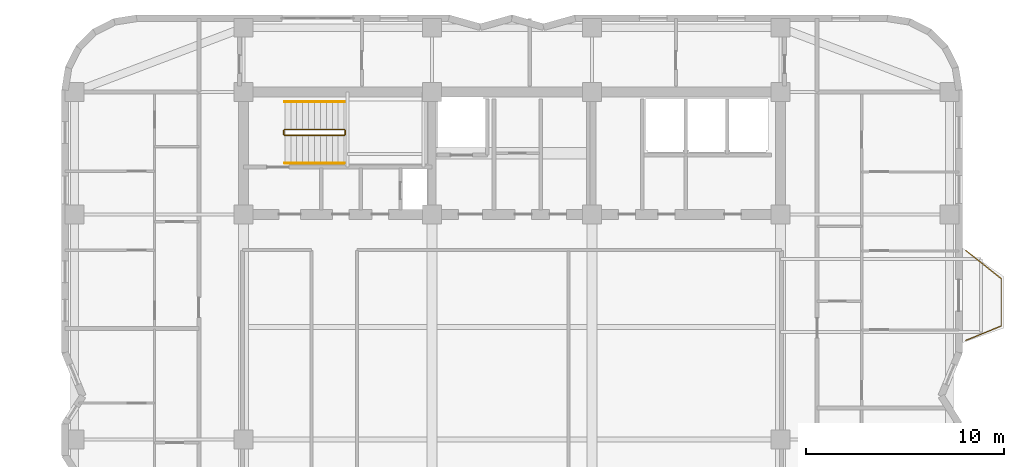
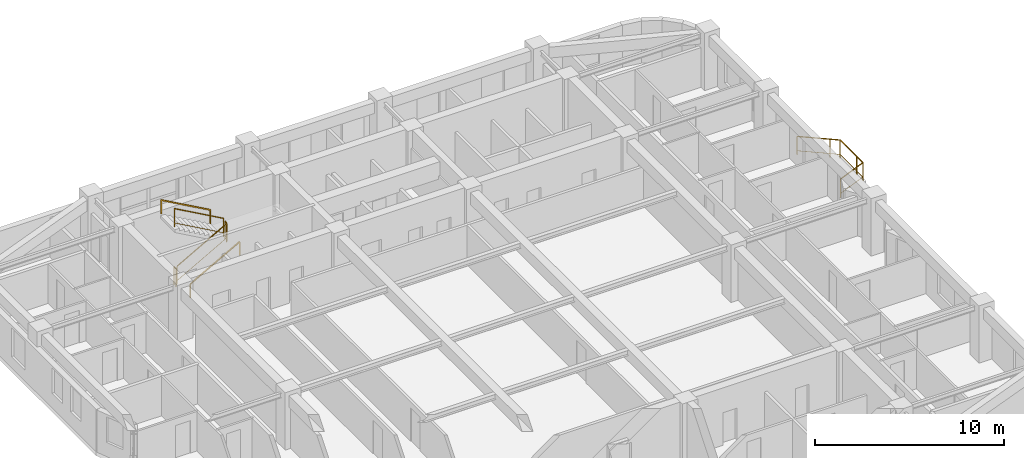
# One storey, part 12 of 12: 7 railings.
"""IFC4 building model written with IfcOpenShell, lengths in metres."""

from ifc_helpers import new_model, si_unit, direction, frame, origin, origin_2d, place, context, subcontext, project, spatial, rectangle, extrude, material, type_object, element, save


model = new_model("IFC4")

# Units and contexts
model_context = context("Model", 3, precision=1e-05, world=origin(), true_north=direction((0.0, 1.0)))
body_context = subcontext(model_context, "Body", "Model", "MODEL_VIEW")
ifc_project = project(units=[si_unit("LENGTHUNIT", "METRE"), si_unit("AREAUNIT", "SQUARE_METRE"), si_unit("VOLUMEUNIT", "CUBIC_METRE"), si_unit("PLANEANGLEUNIT", "RADIAN"), si_unit("MASSUNIT", "GRAM", prefix="KILO")], contexts=[model_context])

# Site, building, storey
site_placement = place(None, origin())
site = spatial("IfcSite", under=ifc_project, at=site_placement, CompositionType="ELEMENT")
building_placement = place(site_placement, origin())
building = spatial("IfcBuilding", under=site, at=building_placement, Name="Svetorya Sky Lyceum", CompositionType="ELEMENT")
storey_placement = place(building_placement, frame((0.0, 0.0, 158.89990234375)))
storey = spatial("IfcBuildingStorey", under=building, at=storey_placement, Name="L39", CompositionType="ELEMENT", Elevation=158.89990234375)

# Railings
ifc_material_1 = material(Name="Laminated safety glass and stainless AISI 316", Category="glass")
railing_type_1 = type_object("IfcRailingType", Name="RL-BAL-1200", PredefinedType="BALUSTRADE", material=ifc_material_1)
railing_1_placement = place(storey_placement, frame((62.169921875, 37.780029296875, 0.0)))
element("IfcRailing", 1, at=railing_1_placement, inside=storey, type_object=railing_type_1, Name="L39 Balcony Balustrade BAL-E1", PredefinedType="BALUSTRADE", context=body_context, shape_type="SweptSolid", body=[
    extrude(rectangle(XDim=0.048095703125, YDim=0.048095703125, at=origin_2d()), frame((0.0, 0.0, 1.17578125), z_axis=(0.783008919264, -0.622010476079, 0.0), x_axis=(0.622010476079, 0.783008919264, 0.0)), (0.0, 0.0, 1.0), 2.298828125),
    extrude(rectangle(XDim=0.02392578125, YDim=0.02392578125, at=origin_2d()), frame((0.0, 0.0, 0.25), z_axis=(0.783008919264, -0.622010476079, 0.0), x_axis=(0.622010476079, 0.783008919264, 0.0)), (0.0, 0.0, 1.0), 2.298828125),
    extrude(rectangle(XDim=0.048095703125, YDim=0.048095703125, at=origin_2d()), frame((1.800048828125, -1.429931640625, 1.17578125), z_axis=(0.0, -1.0, 0.0), x_axis=(1.0, 0.0, 0.0)), (0.0, 0.0, 1.0), 2.400146484375),
    extrude(rectangle(XDim=0.02392578125, YDim=0.02392578125, at=origin_2d()), frame((1.800048828125, -1.429931640625, 0.25), z_axis=(0.0, -1.0, 0.0), x_axis=(1.0, 0.0, 0.0)), (0.0, 0.0, 1.0), 2.400146484375),
    extrude(rectangle(XDim=0.048095703125, YDim=0.048095703125, at=origin_2d()), frame((1.800048828125, -3.830078125, 1.17578125), z_axis=(-0.926697865975, -0.375807218129, 0.0), x_axis=(0.375807218129, -0.926697865975, 0.0)), (0.0, 0.0, 1.0), 1.9423828125),
    extrude(rectangle(XDim=0.02392578125, YDim=0.02392578125, at=origin_2d()), frame((1.800048828125, -3.830078125, 0.25), z_axis=(-0.926697865975, -0.375807218129, 0.0), x_axis=(0.375807218129, -0.926697865975, 0.0)), (0.0, 0.0, 1.0), 1.9423828125),
    extrude(rectangle(XDim=0.0419921875, YDim=0.0419921875, at=origin_2d()), origin(), (0.0, 0.0, 1.0), 1.15185546875),
    extrude(rectangle(XDim=0.0419921875, YDim=0.0419921875, at=origin_2d()), frame((1.370361328125, -1.088623046875, 0.0)), (0.0, 0.0, 1.0), 1.15185546875),
    extrude(rectangle(XDim=0.0419921875, YDim=0.0419921875, at=origin_2d()), frame((1.800048828125, -1.429931640625, 0.0)), (0.0, 0.0, 1.0), 1.15185546875),
    extrude(rectangle(XDim=0.0419921875, YDim=0.0419921875, at=origin_2d()), frame((1.800048828125, -3.179931640625, 0.0)), (0.0, 0.0, 1.0), 1.15185546875),
    extrude(rectangle(XDim=0.0419921875, YDim=0.0419921875, at=origin_2d()), frame((1.800048828125, -3.830078125, 0.0)), (0.0, 0.0, 1.0), 1.15185546875),
    extrude(rectangle(XDim=0.0419921875, YDim=0.0419921875, at=origin_2d()), frame((0.0, -4.56005859375, 0.0)), (0.0, 0.0, 1.0), 1.15185546875),
])
ifc_material_2 = material(Name="Painted galvanized stair well guard")
railing_type_2 = type_object("IfcRailingType", Name="RL-STR-GUARD-1200", PredefinedType="GUARDRAIL", material=ifc_material_2)
railing_2_placement = place(storey_placement, frame((27.699951171875, 43.60009765625, 0.168212890625)))
element("IfcRailing", 2, at=railing_2_placement, inside=storey, type_object=railing_type_2, Name="L39 ST-N stair guard 1", PredefinedType="GUARDRAIL", context=body_context, shape_type="SweptSolid", body=[
    extrude(rectangle(XDim=0.048095703125, YDim=0.048095703125, at=origin_2d()), frame((0.0, 0.0, 1.17578125), z_axis=(0.872272294576, 0.0, 0.489020494575), x_axis=(0.0, 1.0, 0.0)), (0.0, 0.0, 1.0), 3.439208984375),
    extrude(rectangle(XDim=0.02392578125, YDim=0.02392578125, at=origin_2d()), frame((0.0, 0.0, 0.25), z_axis=(0.872272294576, 0.0, 0.489020494575), x_axis=(0.0, 1.0, 0.0)), (0.0, 0.0, 1.0), 3.439208984375),
    extrude(rectangle(XDim=0.0419921875, YDim=0.0419921875, at=origin_2d()), origin(), (0.0, 0.0, 1.0), 1.15185546875),
    extrude(rectangle(XDim=0.0419921875, YDim=0.0419921875, at=origin_2d()), frame((3.0, 0.0, 1.681884765625)), (0.0, 0.0, 1.0), 1.15185546875),
])
railing_3_placement = place(storey_placement, frame((30.75, 43.64990234375, 1.85009765625)))
element("IfcRailing", 3, at=railing_3_placement, inside=storey, type_object=railing_type_2, Name="L39 ST-N stair guard 2", PredefinedType="GUARDRAIL", context=body_context, shape_type="SweptSolid", body=[
    extrude(rectangle(XDim=0.048095703125, YDim=0.048095703125, at=origin_2d()), frame((0.0, 0.0, 1.17578125), z_axis=(0.0, 1.0, 0.0), x_axis=(-1.0, 0.0, 0.0)), (0.0, 0.0, 1.0), 0.2001953125),
    extrude(rectangle(XDim=0.02392578125, YDim=0.02392578125, at=origin_2d()), frame((0.0, 0.0, 0.25), z_axis=(0.0, 1.0, 0.0), x_axis=(-1.0, 0.0, 0.0)), (0.0, 0.0, 1.0), 0.2001953125),
    extrude(rectangle(XDim=0.0419921875, YDim=0.0419921875, at=origin_2d()), origin(), (0.0, 0.0, 1.0), 1.15185546875),
    extrude(rectangle(XDim=0.0419921875, YDim=0.0419921875, at=origin_2d()), frame((0.0, 0.2001953125, 0.0)), (0.0, 0.0, 1.0), 1.15185546875),
])
railing_4_placement = place(storey_placement, frame((30.699951171875, 43.89990234375, 2.018310546875)))
element("IfcRailing", 4, at=railing_4_placement, inside=storey, type_object=railing_type_2, Name="L39 ST-N stair guard 3", PredefinedType="GUARDRAIL", context=body_context, shape_type="SweptSolid", body=[
    extrude(rectangle(XDim=0.048095703125, YDim=0.048095703125, at=origin_2d()), frame((0.0, 0.0, 1.17578125), z_axis=(-0.872272294576, 0.0, 0.489020494575), x_axis=(0.0, -1.0, 0.0)), (0.0, 0.0, 1.0), 3.439208984375),
    extrude(rectangle(XDim=0.02392578125, YDim=0.02392578125, at=origin_2d()), frame((0.0, 0.0, 0.25), z_axis=(-0.872272294576, 0.0, 0.489020494575), x_axis=(0.0, -1.0, 0.0)), (0.0, 0.0, 1.0), 3.439208984375),
    extrude(rectangle(XDim=0.0419921875, YDim=0.0419921875, at=origin_2d()), origin(), (0.0, 0.0, 1.0), 1.15185546875),
    extrude(rectangle(XDim=0.0419921875, YDim=0.0419921875, at=origin_2d()), frame((-3.0, 0.0, 1.681884765625)), (0.0, 0.0, 1.0), 1.15185546875),
])
railing_5_placement = place(storey_placement, frame((27.64990234375, 43.64990234375, 0.0)))
element("IfcRailing", 5, at=railing_5_placement, inside=storey, type_object=railing_type_2, Name="L39 ST-N stair guard 4", PredefinedType="GUARDRAIL", context=body_context, shape_type="SweptSolid", body=[
    extrude(rectangle(XDim=0.048095703125, YDim=0.048095703125, at=origin_2d()), frame((0.0, 0.0, 1.17578125), z_axis=(0.0, 1.0, 0.0), x_axis=(-1.0, 0.0, 0.0)), (0.0, 0.0, 1.0), 0.2001953125),
    extrude(rectangle(XDim=0.02392578125, YDim=0.02392578125, at=origin_2d()), frame((0.0, 0.0, 0.25), z_axis=(0.0, 1.0, 0.0), x_axis=(-1.0, 0.0, 0.0)), (0.0, 0.0, 1.0), 0.2001953125),
    extrude(rectangle(XDim=0.0419921875, YDim=0.0419921875, at=origin_2d()), origin(), (0.0, 0.0, 1.0), 1.15185546875),
    extrude(rectangle(XDim=0.0419921875, YDim=0.0419921875, at=origin_2d()), frame((0.0, 0.2001953125, 0.0)), (0.0, 0.0, 1.0), 1.15185546875),
])
ifc_material_3 = material(Name="Brushed stainless AISI 304 stair handrail")
railing_type_3 = type_object("IfcRailingType", Name="RL-STR-HAND-920", PredefinedType="HANDRAIL", material=ifc_material_3)
railing_6_placement = place(storey_placement, frame((27.699951171875, 42.199951171875, 0.168212890625)))
element("IfcRailing", 6, at=railing_6_placement, inside=storey, type_object=railing_type_3, Name="L39 ST-N stair handrail 1", PredefinedType="HANDRAIL", context=body_context, shape_type="SweptSolid", body=[
    extrude(rectangle(XDim=0.048095703125, YDim=0.048095703125, at=origin_2d()), frame((0.0, 0.0, 0.8759765625), z_axis=(0.872272294576, 0.0, 0.489020494575), x_axis=(0.0, 1.0, 0.0)), (0.0, 0.0, 1.0), 3.439208984375),
    extrude(rectangle(XDim=0.0419921875, YDim=0.0419921875, at=origin_2d()), origin(), (0.0, 0.0, 1.0), 0.851806640625),
    extrude(rectangle(XDim=0.0419921875, YDim=0.0419921875, at=origin_2d()), frame((3.0, 0.0, 1.681884765625)), (0.0, 0.0, 1.0), 0.851806640625),
])
railing_7_placement = place(storey_placement, frame((30.699951171875, 45.300048828125, 2.018310546875)))
element("IfcRailing", 7, at=railing_7_placement, inside=storey, type_object=railing_type_3, Name="L39 ST-N stair handrail 2", PredefinedType="HANDRAIL", context=body_context, shape_type="SweptSolid", body=[
    extrude(rectangle(XDim=0.048095703125, YDim=0.048095703125, at=origin_2d()), frame((0.0, 0.0, 0.8759765625), z_axis=(-0.872272294576, 0.0, 0.489020494575), x_axis=(0.0, -1.0, 0.0)), (0.0, 0.0, 1.0), 3.439208984375),
    extrude(rectangle(XDim=0.0419921875, YDim=0.0419921875, at=origin_2d()), origin(), (0.0, 0.0, 1.0), 0.851806640625),
    extrude(rectangle(XDim=0.0419921875, YDim=0.0419921875, at=origin_2d()), frame((-3.0, 0.0, 1.681884765625)), (0.0, 0.0, 1.0), 0.851806640625),
])

save(model, "model.ifc")
